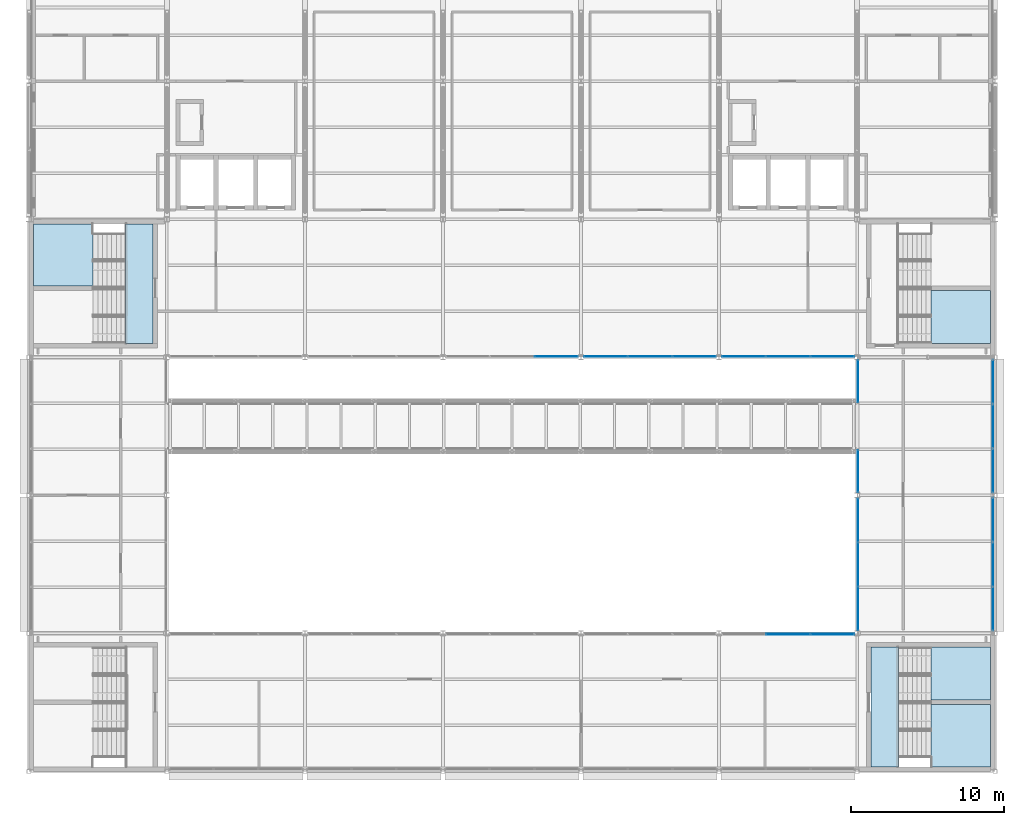
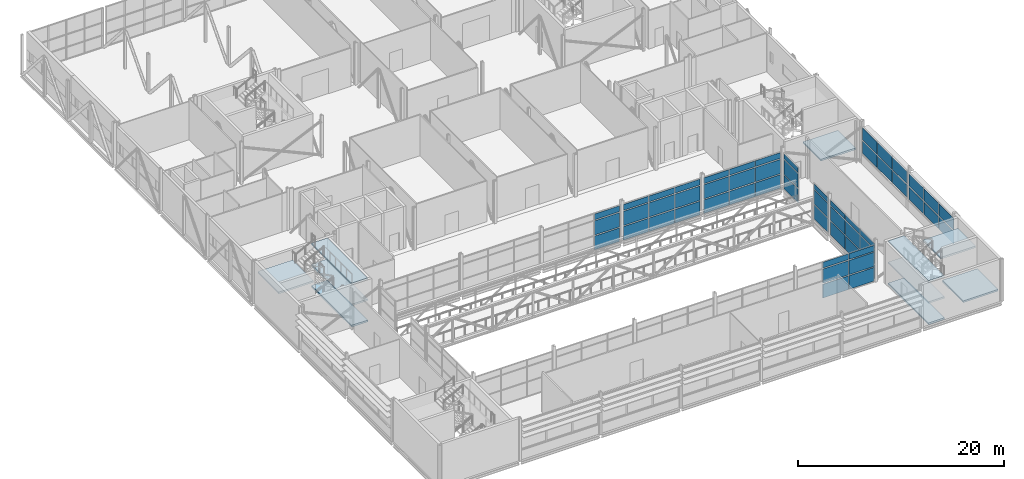
# One storey, part 73 of 94: 54 plates, 10 slabs, 12 elements without a shape of their own.
"""IFC4 building model written with IfcOpenShell, lengths in metres."""

import ifcopenshell
import ifcopenshell.guid

model = None  # the IFC model being written
_history = None  # IfcOwnerHistory: only IFC2X3 demands one
_inside = {}  # id of a spatial element -> (the spatial element, [elements in it])
_under = {}  # id of a project, library or spatial element -> (it, [spatial elements below it])
_declared = {}  # id of a project -> (the project, [libraries it declares])
_typed = {}  # id of a type object -> (the type object, [elements of that type])
_made_of = {}  # id of a material, layer set ... -> (it, [elements and type objects made of it])


def new_model(schema):
    """Start an empty IFC model of exactly this schema.

    Asked for "IFC4X3", IfcOpenShell would pick the latest addendum, in which some entities
    have other attributes; the version numbers below select the first issue.
    IFC2X3 requires an IfcOwnerHistory on every rooted entity: one is made here for all.
    """
    global model, _history
    if schema == "IFC4X3":
        model = ifcopenshell.file(schema_version=(4, 3, 0, 0))
    else:
        model = ifcopenshell.file(schema=schema)
    _inside.clear()
    _under.clear()
    _declared.clear()
    _typed.clear()
    _made_of.clear()
    _history = None
    if model.schema == "IFC2X3":
        org = make("IfcOrganization", Name="unknown")
        user = make(
            "IfcPersonAndOrganization",
            ThePerson=make("IfcPerson", FamilyName="unknown"),
            TheOrganization=org,
        )
        app = make(
            "IfcApplication",
            ApplicationDeveloper=org,
            Version="unknown",
            ApplicationFullName="unknown",
            ApplicationIdentifier="unknown",
        )
        _history = make(
            "IfcOwnerHistory",
            OwningUser=user,
            OwningApplication=app,
            ChangeAction="ADDED",
            CreationDate=0,
        )
    return model


def make(cls, **values):
    """One entity of the class cls with the attributes given. An attribute that is None is left unset."""
    return model.create_entity(
        cls, **{name: value for name, value in values.items() if value is not None}
    )


def rooted(cls, **values):
    """An entity with a GlobalId (a new one), such as an element, a storey or a relation."""
    return make(cls, GlobalId=ifcopenshell.guid.new(), OwnerHistory=_history, **values)


def si_unit(unit_type, name, prefix=None):
    """IfcSIUnit, for example si_unit("LENGTHUNIT", "METRE", prefix="MILLI")."""
    return make("IfcSIUnit", UnitType=unit_type, Prefix=prefix, Name=name)


def assignment(units):
    """IfcUnitAssignment: the units of a project."""
    return None if units is None else make("IfcUnitAssignment", Units=units)


def point(xyz):
    """IfcCartesianPoint."""
    return None if xyz is None else make("IfcCartesianPoint", Coordinates=xyz)


def direction(xyz):
    """IfcDirection."""
    return None if xyz is None else make("IfcDirection", DirectionRatios=xyz)


def frame(location, z_axis=None, x_axis=None):
    """IfcAxis2Placement3D, a coordinate frame: its origin and axes. An axis left out is left unset."""
    return make(
        "IfcAxis2Placement3D",
        Location=point(location),
        Axis=direction(z_axis),
        RefDirection=direction(x_axis),
    )


def frame_2d(location, x_axis=None):
    """IfcAxis2Placement2D, a coordinate frame in the plane: its origin and x axis."""
    return make(
        "IfcAxis2Placement2D", Location=point(location), RefDirection=direction(x_axis)
    )


def origin():
    """The frame at (0, 0, 0) with its axes left unset."""
    return frame((0.0, 0.0, 0.0))


def origin_2d():
    """The frame at (0, 0) in the plane with its x axis left unset."""
    return frame_2d((0.0, 0.0))


def place(relative_to, where):
    """IfcLocalPlacement: puts the frame where relative to a parent placement (None: the world)."""
    return make(
        "IfcLocalPlacement", PlacementRelTo=relative_to, RelativePlacement=where
    )


def context(
    kind, dimensions, precision=None, world=None, true_north=None, identifier=None
):
    """IfcGeometricRepresentationContext, for example the 3D "Model" context."""
    return make(
        "IfcGeometricRepresentationContext",
        ContextIdentifier=identifier,
        ContextType=kind,
        CoordinateSpaceDimension=dimensions,
        Precision=precision,
        WorldCoordinateSystem=world,
        TrueNorth=true_north,
    )


def subcontext(parent, identifier, kind, view, scale=None):
    """IfcGeometricRepresentationSubContext, for example "Body" below "Model"."""
    return make(
        "IfcGeometricRepresentationSubContext",
        ContextIdentifier=identifier,
        ContextType=kind,
        ParentContext=parent,
        TargetScale=scale,
        TargetView=view,
    )


def project(units=None, contexts=None):
    """IfcProject with its units and contexts."""
    return rooted(
        "IfcProject",
        Name="project",
        RepresentationContexts=contexts,
        UnitsInContext=assignment(units),
    )


def spatial(cls, under=None, at=None, **own):
    """A site, building, storey or space (cls), placed at a placement, below another one or the project."""
    s = rooted(cls, ObjectPlacement=at, **own)
    if under is not None:
        _under.setdefault(under.id(), (under, []))[1].append(s)
    return s


def polyline(points):
    """IfcPolyline through the points."""
    return make("IfcPolyline", Points=[point(p) for p in points])


def profile(cls, at=None, kind="AREA", **sizes):
    """A parametric profile (cls). Its sizes go by their IFC names, for example OverallWidth=200.0."""
    return make(cls, ProfileType=kind, Position=at, **sizes)


def rectangle(**sizes):
    """IfcRectangleProfileDef."""
    return profile("IfcRectangleProfileDef", **sizes)


def outline(outer, holes=None, kind="AREA"):
    """IfcArbitraryClosedProfileDef: a profile drawn as a closed curve; with holes, ...WithVoids."""
    if holes is None:
        return make("IfcArbitraryClosedProfileDef", ProfileType=kind, OuterCurve=outer)
    return make(
        "IfcArbitraryProfileDefWithVoids",
        ProfileType=kind,
        OuterCurve=outer,
        InnerCurves=holes,
    )


def extrude(swept, where, along, depth):
    """IfcExtrudedAreaSolid: the profile swept, set in the frame where, extruded along a direction by depth."""
    return make(
        "IfcExtrudedAreaSolid",
        SweptArea=swept,
        Position=where,
        ExtrudedDirection=direction(along),
        Depth=depth,
    )


def shape(context_of_items, identifier, shape_type, items):
    """IfcShapeRepresentation: the items that make up one representation, for example the "Body"."""
    return make(
        "IfcShapeRepresentation",
        ContextOfItems=context_of_items,
        RepresentationIdentifier=identifier,
        RepresentationType=shape_type,
        Items=items,
    )


def material(Name=None, Category=None):
    """IfcMaterial."""
    return make("IfcMaterial", Name=Name, Category=Category)


def layer(
    of_material, thickness, ventilated=None, Name=None, Category=None, Priority=None
):
    """IfcMaterialLayer: one layer of a wall or slab, of a material (None: an air gap)."""
    return make(
        "IfcMaterialLayer",
        Material=of_material,
        LayerThickness=thickness,
        IsVentilated=ventilated,
        Name=Name,
        Category=Category,
        Priority=Priority,
    )


def layer_set(layers, Name=None):
    """IfcMaterialLayerSet."""
    return make("IfcMaterialLayerSet", MaterialLayers=layers, LayerSetName=Name)


def made_of(thing, what):
    """Note that an element or type object is made of a material, layer set ...; save() writes the relation."""
    if what is not None:
        _made_of.setdefault(what.id(), (what, []))[1].append(thing)
    return thing


def type_object(cls, material=None, **own):
    """A type object (cls), such as IfcWallType, which elements share."""
    return made_of(rooted(cls, **own), material)


def element(
    cls,
    number,
    at=None,
    inside=None,
    cuts=None,
    type_object=None,
    material=None,
    context=None,
    identifier="Body",
    shape_type=None,
    held_by="IfcProductDefinitionShape",
    body=None,
    shapes=None,
    **own,
):
    """One element of the class cls, such as IfcWall. Its Tag is "e" and its number.

    at: its placement. inside: the storey or other place that contains it. cuts: it is an
    opening in that element (IfcRelVoidsElement). A single representation is given by context,
    identifier, shape_type and body (its items); several are given by shapes. held_by: the class
    of the entity that holds the representations. save() writes the other relations.
    """
    e = rooted(cls, Tag="e%d" % number, ObjectPlacement=at, **own)
    if body is not None:
        shapes = [shape(context, identifier, shape_type, body)]
    if shapes is not None:
        e.Representation = make(held_by, Representations=shapes)
    if inside is not None:
        _inside.setdefault(inside.id(), (inside, []))[1].append(e)
    if cuts is not None:
        rooted(
            "IfcRelVoidsElement", RelatingBuildingElement=cuts, RelatedOpeningElement=e
        )
    if type_object is not None:
        _typed.setdefault(type_object.id(), (type_object, []))[1].append(e)
    return made_of(e, material)


def aggregate(whole, parts):
    """IfcRelAggregates: a whole, such as a stair, and the parts it consists of."""
    return rooted("IfcRelAggregates", RelatingObject=whole, RelatedObjects=parts)


def save(model, path):
    """Write the relations noted so far, then the file.

    IfcRelAggregates (storeys below a building ...), IfcRelContainedInSpatialStructure (elements
    in a storey), IfcRelDefinesByType, IfcRelAssociatesMaterial and IfcRelDeclares: one each for
    every whole, place, type object, material and project.
    """
    for whole, parts in _under.values():
        aggregate(whole, parts)
    for where, things in _inside.values():
        rooted(
            "IfcRelContainedInSpatialStructure",
            RelatedElements=things,
            RelatingStructure=where,
        )
    for kind, things in _typed.values():
        rooted("IfcRelDefinesByType", RelatedObjects=things, RelatingType=kind)
    for what, things in _made_of.values():
        rooted("IfcRelAssociatesMaterial", RelatedObjects=things, RelatingMaterial=what)
    for by, libraries in _declared.values():
        rooted("IfcRelDeclares", RelatingContext=by, RelatedDefinitions=libraries)
    model.write(path)


model = new_model("IFC4")

# Units and contexts
model_context = context("Model", 3, precision=1e-05, world=origin(), true_north=direction((0.0, 1.0)))
body_context = subcontext(model_context, "Body", "Model", "MODEL_VIEW")
ifc_project = project(units=[si_unit("LENGTHUNIT", "METRE"), si_unit("AREAUNIT", "SQUARE_METRE"), si_unit("VOLUMEUNIT", "CUBIC_METRE"), si_unit("PLANEANGLEUNIT", "RADIAN"), si_unit("MASSUNIT", "GRAM", prefix="KILO")], contexts=[model_context])

# Site, building, storey
site_placement = place(None, origin())
site = spatial("IfcSite", under=ifc_project, at=site_placement, CompositionType="ELEMENT")
building_placement = place(site_placement, origin())
building = spatial("IfcBuilding", under=site, at=building_placement, Name="Shorebreak Coast Museum", CompositionType="ELEMENT")
storey_placement = place(building_placement, frame((0.0, 0.0, 31.0)))
storey = spatial("IfcBuildingStorey", under=building, at=storey_placement, Name="L05", CompositionType="ELEMENT", Elevation=31.0)

# Curtain wall, plates
ifc_material_1 = material(Name="Aluminium", Category="aluminium")
ifc_layer_1 = layer(ifc_material_1, 0.1201171875)
ifc_layer_set_1 = layer_set([ifc_layer_1], Name="Aluminium")
curtain_wall_type_1 = type_object("IfcCurtainWallType", Name="Atrium fire screen", PredefinedType="NOTDEFINED", material=ifc_layer_set_1)
curtain_wall_1_placement = place(storey_placement, origin())
curtain_wall_1 = element("IfcCurtainWall", 1, at=curtain_wall_1_placement, inside=storey, type_object=curtain_wall_type_1, Name="Atrium screen L05 S 67", PredefinedType="NOTDEFINED")
ifc_material_2 = material(Name="Glass", Category="glass")
ifc_layer_2 = layer(ifc_material_2, 0.034912109375)
ifc_layer_set_2 = layer_set([ifc_layer_2], Name="Glass")
plate_type_1 = type_object("IfcPlateType", Name="Fire-resisting glass panel 35", PredefinedType="CURTAIN_PANEL", material=ifc_layer_set_2)
plate_1_placement = place(storey_placement, frame((103.5, 62.93994140625, 0.119873046875), z_axis=(0.0, 0.0, 1.0), x_axis=(1.0, 0.0, 0.0)))
plate_1 = element("IfcPlate", 2, at=plate_1_placement, type_object=plate_type_1, Name="CW5 panel 2.1", PredefinedType="CURTAIN_PANEL", context=body_context, shape_type="SweptSolid", body=[
    extrude(rectangle(XDim=2.84765625, YDim=0.034912109375, at=origin_2d()), origin(), (0.0, 0.0, 1.0), 1.6201171875),
])
plate_2_placement = place(storey_placement, frame((103.5, 62.93994140625, 1.85986328125), z_axis=(0.0, 0.0, 1.0), x_axis=(1.0, 0.0, 0.0)))
plate_2 = element("IfcPlate", 3, at=plate_2_placement, type_object=plate_type_1, Name="CW5 panel 2.2", PredefinedType="CURTAIN_PANEL", context=body_context, shape_type="SweptSolid", body=[
    extrude(rectangle(XDim=2.84765625, YDim=0.034912109375, at=origin_2d()), origin(), (0.0, 0.0, 1.0), 1.679931640625),
])
plate_3_placement = place(storey_placement, frame((103.5, 62.93994140625, 3.659912109375), z_axis=(0.0, 0.0, 1.0), x_axis=(1.0, 0.0, 0.0)))
plate_3 = element("IfcPlate", 4, at=plate_3_placement, type_object=plate_type_1, Name="CW5 panel 2.3", PredefinedType="CURTAIN_PANEL", context=body_context, shape_type="SweptSolid", body=[
    extrude(rectangle(XDim=2.84765625, YDim=0.034912109375, at=origin_2d()), origin(), (0.0, 0.0, 1.0), 0.689453125),
])
plate_4_placement = place(storey_placement, frame((106.38525390625, 62.93994140625, 0.119873046875), z_axis=(0.0, 0.0, 1.0), x_axis=(1.0, 0.0, 0.0)))
plate_4 = element("IfcPlate", 5, at=plate_4_placement, type_object=plate_type_1, Name="CW5 panel 3.1", PredefinedType="CURTAIN_PANEL", context=body_context, shape_type="SweptSolid", body=[
    extrude(rectangle(XDim=2.82275390625, YDim=0.034912109375, at=origin_2d()), origin(), (0.0, 0.0, 1.0), 1.6201171875),
])
plate_5_placement = place(storey_placement, frame((106.38525390625, 62.93994140625, 1.85986328125), z_axis=(0.0, 0.0, 1.0), x_axis=(1.0, 0.0, 0.0)))
plate_5 = element("IfcPlate", 6, at=plate_5_placement, type_object=plate_type_1, Name="CW5 panel 3.2", PredefinedType="CURTAIN_PANEL", context=body_context, shape_type="SweptSolid", body=[
    extrude(rectangle(XDim=2.82275390625, YDim=0.034912109375, at=origin_2d()), origin(), (0.0, 0.0, 1.0), 1.679931640625),
])
plate_6_placement = place(storey_placement, frame((106.38525390625, 62.93994140625, 3.659912109375), z_axis=(0.0, 0.0, 1.0), x_axis=(1.0, 0.0, 0.0)))
plate_6 = element("IfcPlate", 7, at=plate_6_placement, type_object=plate_type_1, Name="CW5 panel 3.3", PredefinedType="CURTAIN_PANEL", context=body_context, shape_type="SweptSolid", body=[
    extrude(rectangle(XDim=2.82275390625, YDim=0.034912109375, at=origin_2d()), origin(), (0.0, 0.0, 1.0), 0.689453125),
])
aggregate(curtain_wall_1, [plate_1, plate_2, plate_3, plate_4, plate_5, plate_6])

curtain_wall_2_placement = place(storey_placement, origin())
curtain_wall_2 = element("IfcCurtainWall", 8, at=curtain_wall_2_placement, inside=storey, type_object=curtain_wall_type_1, Name="Atrium screen L05 N 70", PredefinedType="NOTDEFINED")
plate_7_placement = place(storey_placement, frame((88.38525390625, 81.06005859375, 0.119873046875), z_axis=(0.0, 0.0, 1.0), x_axis=(1.0, 0.0, 0.0)))
plate_7 = element("IfcPlate", 9, at=plate_7_placement, type_object=plate_type_1, Name="CW5 panel 3.1", PredefinedType="CURTAIN_PANEL", context=body_context, shape_type="SweptSolid", body=[
    extrude(rectangle(XDim=2.82275390625, YDim=0.034912109375, at=origin_2d()), origin(), (0.0, 0.0, 1.0), 1.6201171875),
])
plate_8_placement = place(storey_placement, frame((88.38525390625, 81.06005859375, 1.85986328125), z_axis=(0.0, 0.0, 1.0), x_axis=(1.0, 0.0, 0.0)))
plate_8 = element("IfcPlate", 10, at=plate_8_placement, type_object=plate_type_1, Name="CW5 panel 3.2", PredefinedType="CURTAIN_PANEL", context=body_context, shape_type="SweptSolid", body=[
    extrude(rectangle(XDim=2.82275390625, YDim=0.034912109375, at=origin_2d()), origin(), (0.0, 0.0, 1.0), 1.679931640625),
])
plate_9_placement = place(storey_placement, frame((88.38525390625, 81.06005859375, 3.659912109375), z_axis=(0.0, 0.0, 1.0), x_axis=(1.0, 0.0, 0.0)))
plate_9 = element("IfcPlate", 11, at=plate_9_placement, type_object=plate_type_1, Name="CW5 panel 3.3", PredefinedType="CURTAIN_PANEL", context=body_context, shape_type="SweptSolid", body=[
    extrude(rectangle(XDim=2.82275390625, YDim=0.034912109375, at=origin_2d()), origin(), (0.0, 0.0, 1.0), 0.689453125),
])
aggregate(curtain_wall_2, [plate_7, plate_8, plate_9])

curtain_wall_3_placement = place(storey_placement, origin())
curtain_wall_3 = element("IfcCurtainWall", 12, at=curtain_wall_3_placement, inside=storey, type_object=curtain_wall_type_1, Name="Atrium screen L05 N 71", PredefinedType="NOTDEFINED")
plate_10_placement = place(storey_placement, frame((91.61474609375, 81.06005859375, 0.119873046875), z_axis=(0.0, 0.0, 1.0), x_axis=(1.0, 0.0, 0.0)))
plate_10 = element("IfcPlate", 13, at=plate_10_placement, type_object=plate_type_1, Name="CW6 panel 1.1", PredefinedType="CURTAIN_PANEL", context=body_context, shape_type="SweptSolid", body=[
    extrude(rectangle(XDim=2.82275390625, YDim=0.034912109375, at=origin_2d()), origin(), (0.0, 0.0, 1.0), 1.6201171875),
])
plate_11_placement = place(storey_placement, frame((91.61474609375, 81.06005859375, 1.85986328125), z_axis=(0.0, 0.0, 1.0), x_axis=(1.0, 0.0, 0.0)))
plate_11 = element("IfcPlate", 14, at=plate_11_placement, type_object=plate_type_1, Name="CW6 panel 1.2", PredefinedType="CURTAIN_PANEL", context=body_context, shape_type="SweptSolid", body=[
    extrude(rectangle(XDim=2.82275390625, YDim=0.034912109375, at=origin_2d()), origin(), (0.0, 0.0, 1.0), 1.679931640625),
])
plate_12_placement = place(storey_placement, frame((91.61474609375, 81.06005859375, 3.659912109375), z_axis=(0.0, 0.0, 1.0), x_axis=(1.0, 0.0, 0.0)))
plate_12 = element("IfcPlate", 15, at=plate_12_placement, type_object=plate_type_1, Name="CW6 panel 1.3", PredefinedType="CURTAIN_PANEL", context=body_context, shape_type="SweptSolid", body=[
    extrude(rectangle(XDim=2.82275390625, YDim=0.034912109375, at=origin_2d()), origin(), (0.0, 0.0, 1.0), 0.689453125),
])
plate_13_placement = place(storey_placement, frame((94.5, 81.06005859375, 0.119873046875), z_axis=(0.0, 0.0, 1.0), x_axis=(1.0, 0.0, 0.0)))
plate_13 = element("IfcPlate", 16, at=plate_13_placement, type_object=plate_type_1, Name="CW6 panel 2.1", PredefinedType="CURTAIN_PANEL", context=body_context, shape_type="SweptSolid", body=[
    extrude(rectangle(XDim=2.84765625, YDim=0.034912109375, at=origin_2d()), origin(), (0.0, 0.0, 1.0), 1.6201171875),
])
plate_14_placement = place(storey_placement, frame((94.5, 81.06005859375, 1.85986328125), z_axis=(0.0, 0.0, 1.0), x_axis=(1.0, 0.0, 0.0)))
plate_14 = element("IfcPlate", 17, at=plate_14_placement, type_object=plate_type_1, Name="CW6 panel 2.2", PredefinedType="CURTAIN_PANEL", context=body_context, shape_type="SweptSolid", body=[
    extrude(rectangle(XDim=2.84765625, YDim=0.034912109375, at=origin_2d()), origin(), (0.0, 0.0, 1.0), 1.679931640625),
])
plate_15_placement = place(storey_placement, frame((94.5, 81.06005859375, 3.659912109375), z_axis=(0.0, 0.0, 1.0), x_axis=(1.0, 0.0, 0.0)))
plate_15 = element("IfcPlate", 18, at=plate_15_placement, type_object=plate_type_1, Name="CW6 panel 2.3", PredefinedType="CURTAIN_PANEL", context=body_context, shape_type="SweptSolid", body=[
    extrude(rectangle(XDim=2.84765625, YDim=0.034912109375, at=origin_2d()), origin(), (0.0, 0.0, 1.0), 0.689453125),
])
plate_16_placement = place(storey_placement, frame((97.38525390625, 81.06005859375, 0.119873046875), z_axis=(0.0, 0.0, 1.0), x_axis=(1.0, 0.0, 0.0)))
plate_16 = element("IfcPlate", 19, at=plate_16_placement, type_object=plate_type_1, Name="CW6 panel 3.1", PredefinedType="CURTAIN_PANEL", context=body_context, shape_type="SweptSolid", body=[
    extrude(rectangle(XDim=2.82275390625, YDim=0.034912109375, at=origin_2d()), origin(), (0.0, 0.0, 1.0), 1.6201171875),
])
plate_17_placement = place(storey_placement, frame((97.38525390625, 81.06005859375, 1.85986328125), z_axis=(0.0, 0.0, 1.0), x_axis=(1.0, 0.0, 0.0)))
plate_17 = element("IfcPlate", 20, at=plate_17_placement, type_object=plate_type_1, Name="CW6 panel 3.2", PredefinedType="CURTAIN_PANEL", context=body_context, shape_type="SweptSolid", body=[
    extrude(rectangle(XDim=2.82275390625, YDim=0.034912109375, at=origin_2d()), origin(), (0.0, 0.0, 1.0), 1.679931640625),
])
plate_18_placement = place(storey_placement, frame((97.38525390625, 81.06005859375, 3.659912109375), z_axis=(0.0, 0.0, 1.0), x_axis=(1.0, 0.0, 0.0)))
plate_18 = element("IfcPlate", 21, at=plate_18_placement, type_object=plate_type_1, Name="CW6 panel 3.3", PredefinedType="CURTAIN_PANEL", context=body_context, shape_type="SweptSolid", body=[
    extrude(rectangle(XDim=2.82275390625, YDim=0.034912109375, at=origin_2d()), origin(), (0.0, 0.0, 1.0), 0.689453125),
])
aggregate(curtain_wall_3, [plate_10, plate_11, plate_12, plate_13, plate_14, plate_15, plate_16, plate_17, plate_18])

curtain_wall_4_placement = place(storey_placement, origin())
curtain_wall_4 = element("IfcCurtainWall", 22, at=curtain_wall_4_placement, inside=storey, type_object=curtain_wall_type_1, Name="Atrium screen L05 N 72", PredefinedType="NOTDEFINED")
plate_19_placement = place(storey_placement, frame((100.61474609375, 81.06005859375, 0.119873046875), z_axis=(0.0, 0.0, 1.0), x_axis=(1.0, 0.0, 0.0)))
plate_19 = element("IfcPlate", 23, at=plate_19_placement, type_object=plate_type_1, Name="CW4 panel 1.1", PredefinedType="CURTAIN_PANEL", context=body_context, shape_type="SweptSolid", body=[
    extrude(rectangle(XDim=2.82275390625, YDim=0.034912109375, at=origin_2d()), origin(), (0.0, 0.0, 1.0), 1.6201171875),
])
plate_20_placement = place(storey_placement, frame((100.61474609375, 81.06005859375, 1.85986328125), z_axis=(0.0, 0.0, 1.0), x_axis=(1.0, 0.0, 0.0)))
plate_20 = element("IfcPlate", 24, at=plate_20_placement, type_object=plate_type_1, Name="CW4 panel 1.2", PredefinedType="CURTAIN_PANEL", context=body_context, shape_type="SweptSolid", body=[
    extrude(rectangle(XDim=2.82275390625, YDim=0.034912109375, at=origin_2d()), origin(), (0.0, 0.0, 1.0), 1.679931640625),
])
plate_21_placement = place(storey_placement, frame((100.61474609375, 81.06005859375, 3.659912109375), z_axis=(0.0, 0.0, 1.0), x_axis=(1.0, 0.0, 0.0)))
plate_21 = element("IfcPlate", 25, at=plate_21_placement, type_object=plate_type_1, Name="CW4 panel 1.3", PredefinedType="CURTAIN_PANEL", context=body_context, shape_type="SweptSolid", body=[
    extrude(rectangle(XDim=2.82275390625, YDim=0.034912109375, at=origin_2d()), origin(), (0.0, 0.0, 1.0), 0.689453125),
])
plate_22_placement = place(storey_placement, frame((103.5, 81.06005859375, 0.119873046875), z_axis=(0.0, 0.0, 1.0), x_axis=(1.0, 0.0, 0.0)))
plate_22 = element("IfcPlate", 26, at=plate_22_placement, type_object=plate_type_1, Name="CW4 panel 2.1", PredefinedType="CURTAIN_PANEL", context=body_context, shape_type="SweptSolid", body=[
    extrude(rectangle(XDim=2.84765625, YDim=0.034912109375, at=origin_2d()), origin(), (0.0, 0.0, 1.0), 1.6201171875),
])
plate_23_placement = place(storey_placement, frame((103.5, 81.06005859375, 1.85986328125), z_axis=(0.0, 0.0, 1.0), x_axis=(1.0, 0.0, 0.0)))
plate_23 = element("IfcPlate", 27, at=plate_23_placement, type_object=plate_type_1, Name="CW4 panel 2.2", PredefinedType="CURTAIN_PANEL", context=body_context, shape_type="SweptSolid", body=[
    extrude(rectangle(XDim=2.84765625, YDim=0.034912109375, at=origin_2d()), origin(), (0.0, 0.0, 1.0), 1.679931640625),
])
plate_24_placement = place(storey_placement, frame((103.5, 81.06005859375, 3.659912109375), z_axis=(0.0, 0.0, 1.0), x_axis=(1.0, 0.0, 0.0)))
plate_24 = element("IfcPlate", 28, at=plate_24_placement, type_object=plate_type_1, Name="CW4 panel 2.3", PredefinedType="CURTAIN_PANEL", context=body_context, shape_type="SweptSolid", body=[
    extrude(rectangle(XDim=2.84765625, YDim=0.034912109375, at=origin_2d()), origin(), (0.0, 0.0, 1.0), 0.689453125),
])
plate_25_placement = place(storey_placement, frame((106.38525390625, 81.06005859375, 0.119873046875), z_axis=(0.0, 0.0, 1.0), x_axis=(1.0, 0.0, 0.0)))
plate_25 = element("IfcPlate", 29, at=plate_25_placement, type_object=plate_type_1, Name="CW4 panel 3.1", PredefinedType="CURTAIN_PANEL", context=body_context, shape_type="SweptSolid", body=[
    extrude(rectangle(XDim=2.82275390625, YDim=0.034912109375, at=origin_2d()), origin(), (0.0, 0.0, 1.0), 1.6201171875),
])
plate_26_placement = place(storey_placement, frame((106.38525390625, 81.06005859375, 1.85986328125), z_axis=(0.0, 0.0, 1.0), x_axis=(1.0, 0.0, 0.0)))
plate_26 = element("IfcPlate", 30, at=plate_26_placement, type_object=plate_type_1, Name="CW4 panel 3.2", PredefinedType="CURTAIN_PANEL", context=body_context, shape_type="SweptSolid", body=[
    extrude(rectangle(XDim=2.82275390625, YDim=0.034912109375, at=origin_2d()), origin(), (0.0, 0.0, 1.0), 1.679931640625),
])
plate_27_placement = place(storey_placement, frame((106.38525390625, 81.06005859375, 3.659912109375), z_axis=(0.0, 0.0, 1.0), x_axis=(1.0, 0.0, 0.0)))
plate_27 = element("IfcPlate", 31, at=plate_27_placement, type_object=plate_type_1, Name="CW4 panel 3.3", PredefinedType="CURTAIN_PANEL", context=body_context, shape_type="SweptSolid", body=[
    extrude(rectangle(XDim=2.82275390625, YDim=0.034912109375, at=origin_2d()), origin(), (0.0, 0.0, 1.0), 0.689453125),
])
aggregate(curtain_wall_4, [plate_19, plate_20, plate_21, plate_22, plate_23, plate_24, plate_25, plate_26, plate_27])

curtain_wall_5_placement = place(storey_placement, origin())
curtain_wall_5 = element("IfcCurtainWall", 32, at=curtain_wall_5_placement, inside=storey, type_object=curtain_wall_type_1, Name="Atrium screen L05 E 76", PredefinedType="NOTDEFINED")
plate_28_placement = place(storey_placement, frame((108.06005859375, 64.6162109375, 0.119873046875), z_axis=(0.0, 0.0, 1.0), x_axis=(0.0, 1.0, 0.0)))
plate_28 = element("IfcPlate", 33, at=plate_28_placement, type_object=plate_type_1, Name="CW5 panel 1.1", PredefinedType="CURTAIN_PANEL", context=body_context, shape_type="SweptSolid", body=[
    extrude(rectangle(XDim=2.818115234375, YDim=0.034912109375, at=origin_2d()), origin(), (0.0, 0.0, 1.0), 1.6201171875),
])
plate_29_placement = place(storey_placement, frame((108.06005859375, 64.6162109375, 1.85986328125), z_axis=(0.0, 0.0, 1.0), x_axis=(0.0, 1.0, 0.0)))
plate_29 = element("IfcPlate", 34, at=plate_29_placement, type_object=plate_type_1, Name="CW5 panel 1.2", PredefinedType="CURTAIN_PANEL", context=body_context, shape_type="SweptSolid", body=[
    extrude(rectangle(XDim=2.818115234375, YDim=0.034912109375, at=origin_2d()), origin(), (0.0, 0.0, 1.0), 1.679931640625),
])
plate_30_placement = place(storey_placement, frame((108.06005859375, 64.6162109375, 3.66015625), z_axis=(0.0, 0.0, 1.0), x_axis=(0.0, 1.0, 0.0)))
plate_30 = element("IfcPlate", 35, at=plate_30_placement, type_object=plate_type_1, Name="CW5 panel 1.3", PredefinedType="CURTAIN_PANEL", context=body_context, shape_type="SweptSolid", body=[
    extrude(rectangle(XDim=2.818115234375, YDim=0.034912109375, at=origin_2d()), origin(), (0.0, 0.0, 1.0), 0.584716796875),
])
plate_31_placement = place(storey_placement, frame((108.06005859375, 67.496826171875, 0.119873046875), z_axis=(0.0, 0.0, 1.0), x_axis=(0.0, 1.0, 0.0)))
plate_31 = element("IfcPlate", 36, at=plate_31_placement, type_object=plate_type_1, Name="CW5 panel 2.1", PredefinedType="CURTAIN_PANEL", context=body_context, shape_type="SweptSolid", body=[
    extrude(rectangle(XDim=2.843017578125, YDim=0.034912109375, at=origin_2d()), origin(), (0.0, 0.0, 1.0), 1.6201171875),
])
plate_32_placement = place(storey_placement, frame((108.06005859375, 67.496826171875, 1.85986328125), z_axis=(0.0, 0.0, 1.0), x_axis=(0.0, 1.0, 0.0)))
plate_32 = element("IfcPlate", 37, at=plate_32_placement, type_object=plate_type_1, Name="CW5 panel 2.2", PredefinedType="CURTAIN_PANEL", context=body_context, shape_type="SweptSolid", body=[
    extrude(rectangle(XDim=2.843017578125, YDim=0.034912109375, at=origin_2d()), origin(), (0.0, 0.0, 1.0), 1.679931640625),
])
plate_33_placement = place(storey_placement, frame((108.06005859375, 67.496826171875, 3.66015625), z_axis=(0.0, 0.0, 1.0), x_axis=(0.0, 1.0, 0.0)))
plate_33 = element("IfcPlate", 38, at=plate_33_placement, type_object=plate_type_1, Name="CW5 panel 2.3", PredefinedType="CURTAIN_PANEL", context=body_context, shape_type="SweptSolid", body=[
    extrude(rectangle(XDim=2.843017578125, YDim=0.034912109375, at=origin_2d()), origin(), (0.0, 0.0, 1.0), 0.584716796875),
])
plate_34_placement = place(storey_placement, frame((108.06005859375, 70.37744140625, 0.119873046875), z_axis=(0.0, 0.0, 1.0), x_axis=(0.0, 1.0, 0.0)))
plate_34 = element("IfcPlate", 39, at=plate_34_placement, type_object=plate_type_1, Name="CW5 panel 3.1", PredefinedType="CURTAIN_PANEL", context=body_context, shape_type="SweptSolid", body=[
    extrude(rectangle(XDim=2.818115234375, YDim=0.034912109375, at=origin_2d()), origin(), (0.0, 0.0, 1.0), 1.6201171875),
])
plate_35_placement = place(storey_placement, frame((108.06005859375, 70.37744140625, 1.85986328125), z_axis=(0.0, 0.0, 1.0), x_axis=(0.0, 1.0, 0.0)))
plate_35 = element("IfcPlate", 40, at=plate_35_placement, type_object=plate_type_1, Name="CW5 panel 3.2", PredefinedType="CURTAIN_PANEL", context=body_context, shape_type="SweptSolid", body=[
    extrude(rectangle(XDim=2.818115234375, YDim=0.034912109375, at=origin_2d()), origin(), (0.0, 0.0, 1.0), 1.679931640625),
])
plate_36_placement = place(storey_placement, frame((108.06005859375, 70.37744140625, 3.66015625), z_axis=(0.0, 0.0, 1.0), x_axis=(0.0, 1.0, 0.0)))
plate_36 = element("IfcPlate", 41, at=plate_36_placement, type_object=plate_type_1, Name="CW5 panel 3.3", PredefinedType="CURTAIN_PANEL", context=body_context, shape_type="SweptSolid", body=[
    extrude(rectangle(XDim=2.818115234375, YDim=0.034912109375, at=origin_2d()), origin(), (0.0, 0.0, 1.0), 0.584716796875),
])
aggregate(curtain_wall_5, [plate_28, plate_29, plate_30, plate_31, plate_32, plate_33, plate_34, plate_35, plate_36])

curtain_wall_6_placement = place(storey_placement, origin())
curtain_wall_6 = element("IfcCurtainWall", 42, at=curtain_wall_6_placement, inside=storey, type_object=curtain_wall_type_1, Name="Atrium screen L05 E 77", PredefinedType="NOTDEFINED")
plate_37_placement = place(storey_placement, frame((108.06005859375, 73.581787109375, 0.119873046875), z_axis=(0.0, 0.0, 1.0), x_axis=(0.0, 1.0, 0.0)))
plate_37 = element("IfcPlate", 43, at=plate_37_placement, type_object=plate_type_1, Name="CW6 panel 1.1", PredefinedType="CURTAIN_PANEL", context=body_context, shape_type="SweptSolid", body=[
    extrude(rectangle(XDim=2.736328125, YDim=0.034912109375, at=origin_2d()), origin(), (0.0, 0.0, 1.0), 1.6201171875),
])
plate_38_placement = place(storey_placement, frame((108.06005859375, 73.581787109375, 1.85986328125), z_axis=(0.0, 0.0, 1.0), x_axis=(0.0, 1.0, 0.0)))
plate_38 = element("IfcPlate", 44, at=plate_38_placement, type_object=plate_type_1, Name="CW6 panel 1.2", PredefinedType="CURTAIN_PANEL", context=body_context, shape_type="SweptSolid", body=[
    extrude(rectangle(XDim=2.736328125, YDim=0.034912109375, at=origin_2d()), origin(), (0.0, 0.0, 1.0), 1.679931640625),
])
plate_39_placement = place(storey_placement, frame((108.06005859375, 73.581787109375, 3.66015625), z_axis=(0.0, 0.0, 1.0), x_axis=(0.0, 1.0, 0.0)))
plate_39 = element("IfcPlate", 45, at=plate_39_placement, type_object=plate_type_1, Name="CW6 panel 1.3", PredefinedType="CURTAIN_PANEL", context=body_context, shape_type="SweptSolid", body=[
    extrude(rectangle(XDim=2.736328125, YDim=0.034912109375, at=origin_2d()), origin(), (0.0, 0.0, 1.0), 0.584716796875),
])
aggregate(curtain_wall_6, [plate_37, plate_38, plate_39])

curtain_wall_7_placement = place(storey_placement, origin())
curtain_wall_7 = element("IfcCurtainWall", 46, at=curtain_wall_7_placement, inside=storey, type_object=curtain_wall_type_1, Name="Atrium screen L05 E 78", PredefinedType="NOTDEFINED")
plate_40_placement = place(storey_placement, frame((108.06005859375, 79.42138671875, 0.119873046875), z_axis=(0.0, 0.0, 1.0), x_axis=(0.0, 1.0, 0.0)))
plate_40 = element("IfcPlate", 47, at=plate_40_placement, type_object=plate_type_1, Name="CW4 panel 1.1", PredefinedType="CURTAIN_PANEL", context=body_context, shape_type="SweptSolid", body=[
    extrude(rectangle(XDim=2.74267578125, YDim=0.034912109375, at=origin_2d()), origin(), (0.0, 0.0, 1.0), 1.6201171875),
])
plate_41_placement = place(storey_placement, frame((108.06005859375, 79.42138671875, 1.85986328125), z_axis=(0.0, 0.0, 1.0), x_axis=(0.0, 1.0, 0.0)))
plate_41 = element("IfcPlate", 48, at=plate_41_placement, type_object=plate_type_1, Name="CW4 panel 1.2", PredefinedType="CURTAIN_PANEL", context=body_context, shape_type="SweptSolid", body=[
    extrude(rectangle(XDim=2.74267578125, YDim=0.034912109375, at=origin_2d()), origin(), (0.0, 0.0, 1.0), 1.679931640625),
])
plate_42_placement = place(storey_placement, frame((108.06005859375, 79.42138671875, 3.66015625), z_axis=(0.0, 0.0, 1.0), x_axis=(0.0, 1.0, 0.0)))
plate_42 = element("IfcPlate", 49, at=plate_42_placement, type_object=plate_type_1, Name="CW4 panel 1.3", PredefinedType="CURTAIN_PANEL", context=body_context, shape_type="SweptSolid", body=[
    extrude(rectangle(XDim=2.74267578125, YDim=0.034912109375, at=origin_2d()), origin(), (0.0, 0.0, 1.0), 0.584716796875),
])
aggregate(curtain_wall_7, [plate_40, plate_41, plate_42])

# Stair, slabs
ifc_material_3 = material(Name="Concrete N40 (40 MPa)", Category="concrete")
stair_type = type_object("IfcStairType", Name="Stair run 5 m", PredefinedType="DOUBLE_RETURN_STAIR", material=ifc_material_3)
stair_1_placement = place(storey_placement, origin())
stair_1 = element("IfcStair", 50, at=stair_1_placement, inside=storey, type_object=stair_type, Name="Exit stair ST02-L05", PredefinedType="DOUBLE_RETURN_STAIR")
ifc_material_4 = material(Name="Concrete N40 (40 MPa)", Category="concrete")
ifc_layer_3 = layer(ifc_material_4, 0.199951171875)
ifc_layer_set_3 = layer_set([ifc_layer_3], Name="Concrete N40 (40 MPa)")
slab_type = type_object("IfcSlabType", Name="Stair landing 200", PredefinedType="LANDING", material=ifc_layer_set_3)
slab_1_placement = place(storey_placement, frame((0.0, 0.0, -0.199951171875)))
slab_1 = element("IfcSlab", 51, at=slab_1_placement, type_object=slab_type, Name="ST02-L05 landing 1", PredefinedType="LANDING", context=body_context, shape_type="SweptSolid", body=[
    extrude(outline(polyline([(108.89990234375, 54.300048828125), (110.699951171875, 54.300048828125), (110.699951171875, 62.10009765625), (108.89990234375, 62.10009765625), (108.89990234375, 54.300048828125)])), origin(), (0.0, 0.0, 1.0), 0.199951171875),
])
slab_2_placement = place(storey_placement, frame((0.0, 0.0, 2.300048828125)))
slab_2 = element("IfcSlab", 52, at=slab_2_placement, type_object=slab_type, Name="ST02-L05 landing 2", PredefinedType="LANDING", context=body_context, shape_type="SweptSolid", body=[
    extrude(outline(polyline([(108.89990234375, 54.300048828125), (110.699951171875, 54.300048828125), (110.699951171875, 62.10009765625), (108.89990234375, 62.10009765625), (108.89990234375, 54.300048828125)])), origin(), (0.0, 0.0, 1.0), 0.199951171875),
])
slab_3_placement = place(storey_placement, frame((0.0, 0.0, 1.050048828125)))
slab_3 = element("IfcSlab", 53, at=slab_3_placement, type_object=slab_type, Name="ST02-L05 landing 3", PredefinedType="LANDING", context=body_context, shape_type="SweptSolid", body=[
    extrude(outline(polyline([(112.800048828125, 54.300048828125), (116.699951171875, 54.300048828125), (116.699951171875, 58.35009765625), (112.800048828125, 58.35009765625), (112.800048828125, 54.300048828125)])), origin(), (0.0, 0.0, 1.0), 0.199951171875),
])
slab_4_placement = place(storey_placement, frame((0.0, 0.0, 3.550048828125)))
slab_4 = element("IfcSlab", 54, at=slab_4_placement, type_object=slab_type, Name="ST02-L05 landing 4", PredefinedType="LANDING", context=body_context, shape_type="SweptSolid", body=[
    extrude(outline(polyline([(112.800048828125, 58.64990234375), (116.699951171875, 58.64990234375), (116.699951171875, 62.10009765625), (112.800048828125, 62.10009765625), (112.800048828125, 58.64990234375)])), origin(), (0.0, 0.0, 1.0), 0.199951171875),
])
slab_5_placement = place(storey_placement, frame((0.0, 0.0, 4.800048828125)))
slab_5 = element("IfcSlab", 55, at=slab_5_placement, type_object=slab_type, Name="ST02-L05 landing 5", PredefinedType="LANDING", context=body_context, shape_type="SweptSolid", body=[
    extrude(outline(polyline([(108.89990234375, 54.300048828125), (110.699951171875, 54.300048828125), (110.699951171875, 62.10009765625), (108.89990234375, 62.10009765625), (108.89990234375, 54.300048828125)])), origin(), (0.0, 0.0, 1.0), 0.199951171875),
])
aggregate(stair_1, [slab_1, slab_2, slab_3, slab_4, slab_5])

stair_2_placement = place(storey_placement, origin())
stair_2 = element("IfcStair", 56, at=stair_2_placement, inside=storey, type_object=stair_type, Name="Exit stair ST03-L05", PredefinedType="DOUBLE_RETURN_STAIR")
slab_6_placement = place(storey_placement, frame((0.0, 0.0, -0.199951171875)))
slab_6 = element("IfcSlab", 57, at=slab_6_placement, type_object=slab_type, Name="ST03-L05 landing 1", PredefinedType="LANDING", context=body_context, shape_type="SweptSolid", body=[
    extrude(outline(polyline([(60.300048828125, 81.89990234375), (62.10009765625, 81.89990234375), (62.10009765625, 89.699951171875), (60.300048828125, 89.699951171875), (60.300048828125, 81.89990234375)])), origin(), (0.0, 0.0, 1.0), 0.199951171875),
])
slab_7_placement = place(storey_placement, frame((0.0, 0.0, 2.300048828125)))
slab_7 = element("IfcSlab", 58, at=slab_7_placement, type_object=slab_type, Name="ST03-L05 landing 2", PredefinedType="LANDING", context=body_context, shape_type="SweptSolid", body=[
    extrude(outline(polyline([(60.300048828125, 81.89990234375), (62.10009765625, 81.89990234375), (62.10009765625, 89.699951171875), (60.300048828125, 89.699951171875), (60.300048828125, 81.89990234375)])), origin(), (0.0, 0.0, 1.0), 0.199951171875),
])
slab_8_placement = place(storey_placement, frame((0.0, 0.0, 3.550048828125)))
slab_8 = element("IfcSlab", 59, at=slab_8_placement, type_object=slab_type, Name="ST03-L05 landing 4", PredefinedType="LANDING", context=body_context, shape_type="SweptSolid", body=[
    extrude(outline(polyline([(54.300048828125, 85.64990234375), (58.199951171875, 85.64990234375), (58.199951171875, 89.699951171875), (54.300048828125, 89.699951171875), (54.300048828125, 85.64990234375)])), origin(), (0.0, 0.0, 1.0), 0.199951171875),
])
slab_9_placement = place(storey_placement, frame((0.0, 0.0, 4.800048828125)))
slab_9 = element("IfcSlab", 60, at=slab_9_placement, type_object=slab_type, Name="ST03-L05 landing 5", PredefinedType="LANDING", context=body_context, shape_type="SweptSolid", body=[
    extrude(outline(polyline([(60.300048828125, 81.89990234375), (62.10009765625, 81.89990234375), (62.10009765625, 89.699951171875), (60.300048828125, 89.699951171875), (60.300048828125, 81.89990234375)])), origin(), (0.0, 0.0, 1.0), 0.199951171875),
])
aggregate(stair_2, [slab_6, slab_7, slab_8, slab_9])

# Stair, slab
stair_3_placement = place(storey_placement, origin())
stair_3 = element("IfcStair", 61, at=stair_3_placement, inside=storey, type_object=stair_type, Name="Exit stair ST04-L05", PredefinedType="DOUBLE_RETURN_STAIR")
slab_10_placement = place(storey_placement, frame((0.0, 0.0, 1.050048828125)))
slab_10 = element("IfcSlab", 62, at=slab_10_placement, type_object=slab_type, Name="ST04-L05 landing 3", PredefinedType="LANDING", context=body_context, shape_type="SweptSolid", body=[
    extrude(outline(polyline([(112.800048828125, 81.89990234375), (116.699951171875, 81.89990234375), (116.699951171875, 85.35009765625), (112.800048828125, 85.35009765625), (112.800048828125, 81.89990234375)])), origin(), (0.0, 0.0, 1.0), 0.199951171875),
])
aggregate(stair_3, [slab_10])

# Curtain wall, plates
ifc_material_5 = material(Name="Aluminium", Category="aluminium")
ifc_layer_4 = layer(ifc_material_5, 0.14990234375)
ifc_layer_set_4 = layer_set([ifc_layer_4], Name="Aluminium")
curtain_wall_type_2 = type_object("IfcCurtainWallType", Name="Storefront curtain wall", PredefinedType="NOTDEFINED", material=ifc_layer_set_4)
curtain_wall_8_placement = place(storey_placement, origin())
curtain_wall_8 = element("IfcCurtainWall", 63, at=curtain_wall_8_placement, inside=storey, type_object=curtain_wall_type_2, Name="Atrium Hall glazing L05 E 11", PredefinedType="NOTDEFINED")
ifc_material_6 = material(Name="Glass", Category="glass")
ifc_layer_5 = layer(ifc_material_6, 0.031982421875)
ifc_layer_set_5 = layer_set([ifc_layer_5], Name="Glass")
plate_type_2 = type_object("IfcPlateType", Name="Storefront glass panel 32", PredefinedType="CURTAIN_PANEL", material=ifc_layer_set_5)
plate_43_placement = place(storey_placement, frame((116.85009765625, 64.595947265625, 1.25), z_axis=(0.0, 0.0, 1.0), x_axis=(0.0, 1.0, 0.0)))
plate_43 = element("IfcPlate", 64, at=plate_43_placement, type_object=plate_type_2, Name="CW5 panel 1.1", PredefinedType="CURTAIN_PANEL", context=body_context, shape_type="SweptSolid", body=[
    extrude(rectangle(XDim=2.841552734375, YDim=0.031982421875, at=origin_2d()), origin(), (0.0, 0.0, 1.0), 1.434326171875),
])
plate_44_placement = place(storey_placement, frame((116.85009765625, 64.595947265625, 2.83447265625), z_axis=(0.0, 0.0, 1.0), x_axis=(0.0, 1.0, 0.0)))
plate_44 = element("IfcPlate", 65, at=plate_44_placement, type_object=plate_type_2, Name="CW5 panel 1.2", PredefinedType="CURTAIN_PANEL", context=body_context, shape_type="SweptSolid", body=[
    extrude(rectangle(XDim=2.841552734375, YDim=0.031982421875, at=origin_2d()), origin(), (0.0, 0.0, 1.0), 1.434326171875),
])
plate_45_placement = place(storey_placement, frame((116.85009765625, 67.5, 1.25), z_axis=(0.0, 0.0, 1.0), x_axis=(0.0, 1.0, 0.0)))
plate_45 = element("IfcPlate", 66, at=plate_45_placement, type_object=plate_type_2, Name="CW5 panel 2.1", PredefinedType="CURTAIN_PANEL", context=body_context, shape_type="SweptSolid", body=[
    extrude(rectangle(XDim=2.86669921875, YDim=0.031982421875, at=origin_2d()), origin(), (0.0, 0.0, 1.0), 1.434326171875),
])
plate_46_placement = place(storey_placement, frame((116.85009765625, 67.5, 2.83447265625), z_axis=(0.0, 0.0, 1.0), x_axis=(0.0, 1.0, 0.0)))
plate_46 = element("IfcPlate", 67, at=plate_46_placement, type_object=plate_type_2, Name="CW5 panel 2.2", PredefinedType="CURTAIN_PANEL", context=body_context, shape_type="SweptSolid", body=[
    extrude(rectangle(XDim=2.86669921875, YDim=0.031982421875, at=origin_2d()), origin(), (0.0, 0.0, 1.0), 1.434326171875),
])
plate_47_placement = place(storey_placement, frame((116.85009765625, 70.404052734375, 1.25), z_axis=(0.0, 0.0, 1.0), x_axis=(0.0, 1.0, 0.0)))
plate_47 = element("IfcPlate", 68, at=plate_47_placement, type_object=plate_type_2, Name="CW5 panel 3.1", PredefinedType="CURTAIN_PANEL", context=body_context, shape_type="SweptSolid", body=[
    extrude(rectangle(XDim=2.841552734375, YDim=0.031982421875, at=origin_2d()), origin(), (0.0, 0.0, 1.0), 1.434326171875),
])
plate_48_placement = place(storey_placement, frame((116.85009765625, 70.404052734375, 2.83447265625), z_axis=(0.0, 0.0, 1.0), x_axis=(0.0, 1.0, 0.0)))
plate_48 = element("IfcPlate", 69, at=plate_48_placement, type_object=plate_type_2, Name="CW5 panel 3.2", PredefinedType="CURTAIN_PANEL", context=body_context, shape_type="SweptSolid", body=[
    extrude(rectangle(XDim=2.841552734375, YDim=0.031982421875, at=origin_2d()), origin(), (0.0, 0.0, 1.0), 1.434326171875),
])
aggregate(curtain_wall_8, [plate_43, plate_44, plate_45, plate_46, plate_47, plate_48])

curtain_wall_9_placement = place(storey_placement, origin())
curtain_wall_9 = element("IfcCurtainWall", 70, at=curtain_wall_9_placement, inside=storey, type_object=curtain_wall_type_2, Name="Atrium Hall glazing L05 E 12", PredefinedType="NOTDEFINED")
plate_49_placement = place(storey_placement, frame((116.85009765625, 73.595947265625, 1.25), z_axis=(0.0, 0.0, 1.0), x_axis=(0.0, 1.0, 0.0)))
plate_49 = element("IfcPlate", 71, at=plate_49_placement, type_object=plate_type_2, Name="CW5 panel 1.1", PredefinedType="CURTAIN_PANEL", context=body_context, shape_type="SweptSolid", body=[
    extrude(rectangle(XDim=2.841552734375, YDim=0.031982421875, at=origin_2d()), origin(), (0.0, 0.0, 1.0), 1.434326171875),
])
plate_50_placement = place(storey_placement, frame((116.85009765625, 73.595947265625, 2.83447265625), z_axis=(0.0, 0.0, 1.0), x_axis=(0.0, 1.0, 0.0)))
plate_50 = element("IfcPlate", 72, at=plate_50_placement, type_object=plate_type_2, Name="CW5 panel 1.2", PredefinedType="CURTAIN_PANEL", context=body_context, shape_type="SweptSolid", body=[
    extrude(rectangle(XDim=2.841552734375, YDim=0.031982421875, at=origin_2d()), origin(), (0.0, 0.0, 1.0), 1.434326171875),
])
plate_51_placement = place(storey_placement, frame((116.85009765625, 76.5, 1.25), z_axis=(0.0, 0.0, 1.0), x_axis=(0.0, 1.0, 0.0)))
plate_51 = element("IfcPlate", 73, at=plate_51_placement, type_object=plate_type_2, Name="CW5 panel 2.1", PredefinedType="CURTAIN_PANEL", context=body_context, shape_type="SweptSolid", body=[
    extrude(rectangle(XDim=2.86669921875, YDim=0.031982421875, at=origin_2d()), origin(), (0.0, 0.0, 1.0), 1.434326171875),
])
plate_52_placement = place(storey_placement, frame((116.85009765625, 76.5, 2.83447265625), z_axis=(0.0, 0.0, 1.0), x_axis=(0.0, 1.0, 0.0)))
plate_52 = element("IfcPlate", 74, at=plate_52_placement, type_object=plate_type_2, Name="CW5 panel 2.2", PredefinedType="CURTAIN_PANEL", context=body_context, shape_type="SweptSolid", body=[
    extrude(rectangle(XDim=2.86669921875, YDim=0.031982421875, at=origin_2d()), origin(), (0.0, 0.0, 1.0), 1.434326171875),
])
plate_53_placement = place(storey_placement, frame((116.85009765625, 79.404052734375, 1.25), z_axis=(0.0, 0.0, 1.0), x_axis=(0.0, 1.0, 0.0)))
plate_53 = element("IfcPlate", 75, at=plate_53_placement, type_object=plate_type_2, Name="CW5 panel 3.1", PredefinedType="CURTAIN_PANEL", context=body_context, shape_type="SweptSolid", body=[
    extrude(rectangle(XDim=2.841552734375, YDim=0.031982421875, at=origin_2d()), origin(), (0.0, 0.0, 1.0), 1.434326171875),
])
plate_54_placement = place(storey_placement, frame((116.85009765625, 79.404052734375, 2.83447265625), z_axis=(0.0, 0.0, 1.0), x_axis=(0.0, 1.0, 0.0)))
plate_54 = element("IfcPlate", 76, at=plate_54_placement, type_object=plate_type_2, Name="CW5 panel 3.2", PredefinedType="CURTAIN_PANEL", context=body_context, shape_type="SweptSolid", body=[
    extrude(rectangle(XDim=2.841552734375, YDim=0.031982421875, at=origin_2d()), origin(), (0.0, 0.0, 1.0), 1.434326171875),
])
aggregate(curtain_wall_9, [plate_49, plate_50, plate_51, plate_52, plate_53, plate_54])

save(model, "model.ifc")
